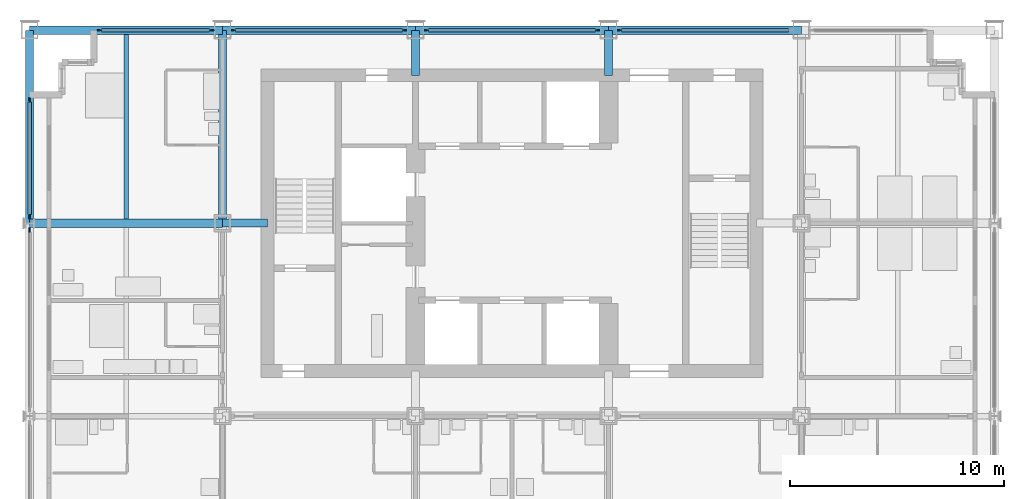
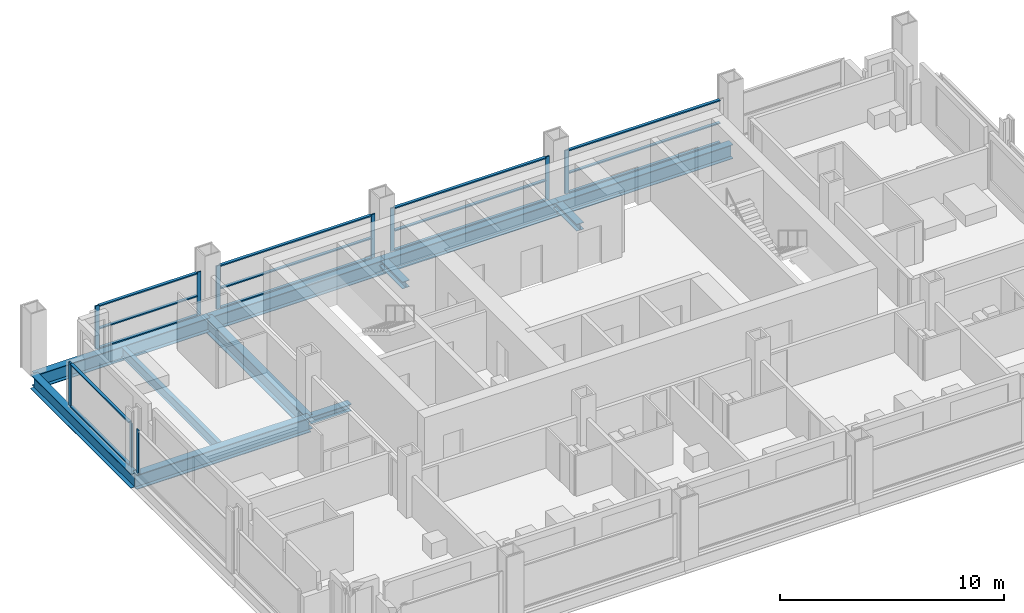
# One storey, part 4 of 13: 27 members, 8 beams, 6 elements without a shape of their own.
"""IFC4 building model written with IfcOpenShell, lengths in metres."""

from ifc_helpers import new_model, si_unit, direction, frame, origin, origin_2d, place, context, subcontext, project, spatial, rectangle, i_section, extrude, material, material_profile, profile_set, type_object, element, aggregate, save


model = new_model("IFC4")

# Units and contexts
model_context = context("Model", 3, precision=1e-05, world=origin(), true_north=direction((0.0, 1.0)))
body_context = subcontext(model_context, "Body", "Model", "MODEL_VIEW")
ifc_project = project(units=[si_unit("LENGTHUNIT", "METRE"), si_unit("AREAUNIT", "SQUARE_METRE"), si_unit("VOLUMEUNIT", "CUBIC_METRE"), si_unit("PLANEANGLEUNIT", "RADIAN"), si_unit("MASSUNIT", "GRAM", prefix="KILO")], contexts=[model_context])

# Site, building, storey
site_placement = place(None, origin())
site = spatial("IfcSite", under=ifc_project, at=site_placement, CompositionType="ELEMENT")
building_placement = place(site_placement, origin())
building = spatial("IfcBuilding", under=site, at=building_placement, Name="Loomwork Tower", CompositionType="ELEMENT")
storey_placement = place(building_placement, frame((0.0, 0.0, 218.199951171875)))
storey = spatial("IfcBuildingStorey", under=building, at=storey_placement, Name="L60", CompositionType="ELEMENT", Elevation=218.199951171875)

# Beams
ifc_material_1 = material(Name="Steel ASTM A992", Category="steel")
ifc_material_profile_1 = material_profile(ifc_material_1, i_section(OverallWidth=0.383544921875, OverallDepth=0.794921875, WebThickness=0.02099609375, FlangeThickness=0.0380859375, at=origin_2d()), Name="W30x235")
ifc_profile_set_1 = profile_set([ifc_material_profile_1], Name="Steel ASTM A992")
beam_type_1 = type_object("IfcBeamType", Name="CORE FLANK GIRDER W30x235", PredefinedType="BEAM", material=ifc_profile_set_1)
for number, where, z_axis, x_axis, name in (
    (1, (0.0, 18.0, -0.597412109375), (1.0, 0.0, 0.0), (0.0, 1.0, 0.0), "Core Flank Girder F/2-F/3 L60"),
    (2, (9.0, 18.0, -0.597412109375), (0.0, 1.0, 0.0), (-1.0, 0.0, 0.0), "Core Flank Girder F/3-G/3 L60"),
):
    element("IfcBeam", number, at=place(storey_placement, frame(where, z_axis=z_axis, x_axis=x_axis)), inside=storey, type_object=beam_type_1, Name=name, PredefinedType="BEAM", context=body_context, shape_type="SweptSolid", body=[
        extrude(i_section(OverallWidth=0.383544921875, OverallDepth=0.794921875, WebThickness=0.02099609375, FlangeThickness=0.0380859375, at=origin_2d()), origin(), (0.0, 0.0, 1.0), 9.0),
    ])

# Members
ifc_material_2 = material(Name="Steel ASTM A992", Category="steel")
ifc_material_profile_2 = material_profile(ifc_material_2, i_section(OverallWidth=0.373291015625, OverallDepth=0.373291015625, WebThickness=0.016357421875, FlangeThickness=0.026123046875, at=origin_2d()), Name="W14x132")
ifc_profile_set_2 = profile_set([ifc_material_profile_2], Name="Steel ASTM A992")
member_type_1 = type_object("IfcMemberType", Name="CORE LINK STRUT W14x132", PredefinedType="STRUT", material=ifc_profile_set_2)
for number, where, z_axis, x_axis, name in (
    (3, (27.0, 27.0, -0.38671875), (0.0, -1.0, 0.0), (1.0, 0.0, 0.0), "Core link strut G/5-27.000,24.900 L60"),
    (4, (18.0, 27.0, -0.38671875), (0.0, -1.0, 0.0), (1.0, 0.0, 0.0), "Core link strut G/4-18.000,24.900 L60"),
    (5, (9.0, 18.0, -0.38671875), (1.0, 0.0, 0.0), (0.0, 1.0, 0.0), "Core link strut F/3-11.100,18.000 L60"),
):
    element("IfcMember", number, at=place(storey_placement, frame(where, z_axis=z_axis, x_axis=x_axis)), inside=storey, type_object=member_type_1, Name=name, PredefinedType="STRUT", context=body_context, shape_type="SweptSolid", body=[
        extrude(i_section(OverallWidth=0.373291015625, OverallDepth=0.373291015625, WebThickness=0.016357421875, FlangeThickness=0.026123046875, at=origin_2d()), origin(), (0.0, 0.0, 1.0), 2.10009765625),
    ])

# Beam
ifc_material_3 = material(Name="Steel ASTM A992", Category="steel")
ifc_material_profile_3 = material_profile(ifc_material_3, i_section(OverallWidth=0.2109375, OverallDepth=0.53857421875, WebThickness=0.011474609375, FlangeThickness=0.018798828125, at=origin_2d()), Name="W21x73")
ifc_profile_set_3 = profile_set([ifc_material_profile_3], Name="Steel ASTM A992")
beam_type_2 = type_object("IfcBeamType", Name="FLOOR JOIST W21x73", PredefinedType="JOIST", material=ifc_profile_set_3)
beam_placement = place(storey_placement, frame((4.5, 18.19091796875, -0.46923828125), z_axis=(0.0, 1.0, 0.0), x_axis=(-1.0, 0.0, 0.0)))
element("IfcBeam", 6, at=beam_placement, inside=storey, type_object=beam_type_2, Name="Floor Joist 4.500,18.000-4.500,27.000 L60", PredefinedType="JOIST", context=body_context, shape_type="SweptSolid", body=[
    extrude(i_section(OverallWidth=0.2109375, OverallDepth=0.53857421875, WebThickness=0.011474609375, FlangeThickness=0.018798828125, at=origin_2d()), origin(), (0.0, 0.0, 1.0), 8.619140625),
])

# Curtain wall, member
ifc_material_4 = material(Name="Aluminium curtain wall frame", Category="aluminium")
curtain_wall_type_1 = type_object("IfcCurtainWallType", Name="Outer skin glazing hotel", PredefinedType="NOTDEFINED", material=ifc_material_4)
curtain_wall_1_placement = place(storey_placement, origin())
curtain_wall_1 = element("IfcCurtainWall", 7, at=curtain_wall_1_placement, inside=storey, type_object=curtain_wall_type_1, Name="Outer skin glazing hotel cw/W-9", PredefinedType="NOTDEFINED")
ifc_material_5 = material(Name="Aluminium curtain wall frame", Category="aluminium")
ifc_material_profile_4 = material_profile(ifc_material_5, rectangle(XDim=0.06494140625, YDim=0.199951171875, at=origin_2d()), Name="AL 65x200")
ifc_profile_set_4 = profile_set([ifc_material_profile_4], Name="Aluminium curtain wall frame")
member_type_2 = type_object("IfcMemberType", Name="Outer skin glazing hotel mullion", PredefinedType="MULLION", material=ifc_profile_set_4)
member_1_placement = place(storey_placement, frame((0.0, 17.6865234375, 0.0), z_axis=(0.0, 0.0, 1.0), x_axis=(1.0, 0.0, 0.0)))
member_1 = element("IfcMember", 8, at=member_1_placement, type_object=member_type_2, Name="CW1 mullion 1", PredefinedType="MULLION", context=body_context, shape_type="SweptSolid", body=[
    extrude(rectangle(XDim=0.06494140625, YDim=0.199951171875, at=origin_2d()), origin(), (0.0, 0.0, 1.0), 2.370361328125),
])
aggregate(curtain_wall_1, [member_1])

# Curtain wall, members
curtain_wall_2_placement = place(storey_placement, origin())
curtain_wall_2 = element("IfcCurtainWall", 9, at=curtain_wall_2_placement, inside=storey, type_object=curtain_wall_type_1, Name="Outer skin glazing hotel cw/W-18", PredefinedType="NOTDEFINED")
member_2_placement = place(storey_placement, frame((0.0, 23.75, 0.0), z_axis=(0.0, 0.0, 1.0), x_axis=(1.0, 0.0, 0.0)))
member_2 = element("IfcMember", 10, at=member_2_placement, type_object=member_type_2, Name="CW1 mullion 1", PredefinedType="MULLION", context=body_context, shape_type="SweptSolid", body=[
    extrude(rectangle(XDim=0.06494140625, YDim=0.199951171875, at=origin_2d()), origin(), (0.0, 0.0, 1.0), 2.370361328125),
])
member_3_placement = place(storey_placement, frame((0.0, 18.3134765625, 0.0), z_axis=(0.0, 0.0, 1.0), x_axis=(1.0, 0.0, 0.0)))
member_3 = element("IfcMember", 11, at=member_3_placement, type_object=member_type_2, Name="CW1 mullion 2", PredefinedType="MULLION", context=body_context, shape_type="SweptSolid", body=[
    extrude(rectangle(XDim=0.06494140625, YDim=0.199951171875, at=origin_2d()), origin(), (0.0, 0.0, 1.0), 2.370361328125),
])
ifc_material_6 = material(Name="Aluminium curtain wall frame", Category="aluminium")
ifc_material_profile_5 = material_profile(ifc_material_6, rectangle(XDim=0.14990234375, YDim=0.06494140625, at=origin_2d()), Name="AL 65x150")
ifc_profile_set_5 = profile_set([ifc_material_profile_5], Name="Aluminium curtain wall frame")
member_type_3 = type_object("IfcMemberType", Name="Outer skin glazing hotel transom", PredefinedType="USERDEFINED", material=ifc_profile_set_5)
member_4_placement = place(storey_placement, frame((0.0, 23.64990234375, 0.032470703125), z_axis=(0.0, -1.0, 0.0), x_axis=(1.0, 0.0, 0.0)))
member_4 = element("IfcMember", 12, at=member_4_placement, type_object=member_type_3, Name="CW1 transom 1.1", ObjectType="TRANSOM", PredefinedType="USERDEFINED", context=body_context, shape_type="SweptSolid", body=[
    extrude(rectangle(XDim=0.14990234375, YDim=0.06494140625, at=origin_2d()), origin(), (0.0, 0.0, 1.0), 5.236572265625),
])
member_5_placement = place(storey_placement, frame((0.0, 23.64990234375, 2.337646484375), z_axis=(0.0, -1.0, 0.0), x_axis=(1.0, 0.0, 0.0)))
member_5 = element("IfcMember", 13, at=member_5_placement, type_object=member_type_3, Name="CW1 transom 1.2", ObjectType="TRANSOM", PredefinedType="USERDEFINED", context=body_context, shape_type="SweptSolid", body=[
    extrude(rectangle(XDim=0.14990234375, YDim=0.06494140625, at=origin_2d()), origin(), (0.0, 0.0, 1.0), 5.236572265625),
])
aggregate(curtain_wall_2, [member_2, member_3, member_4, member_5])

# Beams
ifc_material_7 = material(Name="Steel ASTM A992", Category="steel")
ifc_material_profile_6 = material_profile(ifc_material_7, i_section(OverallWidth=0.381103515625, OverallDepth=0.77978515625, WebThickness=0.01806640625, FlangeThickness=0.0302734375, at=origin_2d()), Name="W30x191")
ifc_profile_set_6 = profile_set([ifc_material_profile_6], Name="Steel ASTM A992")
beam_type_3 = type_object("IfcBeamType", Name="SPANDREL GIRDER W30x191", PredefinedType="SPANDREL", material=ifc_profile_set_6)
for number, where, z_axis, x_axis, name in (
    (14, (0.0, 27.0, -0.58984375), (1.0, 0.0, 0.0), (0.0, 1.0, 0.0), "Spandrel Girder G/2-G/3 L60"),
    (15, (9.0, 27.0, -0.58984375), (1.0, 0.0, 0.0), (0.0, 1.0, 0.0), "Spandrel Girder G/3-G/4 L60"),
    (16, (18.0, 27.0, -0.58984375), (1.0, 0.0, 0.0), (0.0, 1.0, 0.0), "Spandrel Girder G/4-G/5 L60"),
    (17, (27.0, 27.0, -0.58984375), (1.0, 0.0, 0.0), (0.0, 1.0, 0.0), "Spandrel Girder G/5-G/6 L60"),
    (18, (0.0, 18.0, -0.58984375), (0.0, 1.0, 0.0), (-1.0, 0.0, 0.0), "Spandrel Girder F/2-G/2 L60"),
):
    element("IfcBeam", number, at=place(storey_placement, frame(where, z_axis=z_axis, x_axis=x_axis)), inside=storey, type_object=beam_type_3, Name=name, PredefinedType="SPANDREL", context=body_context, shape_type="SweptSolid", body=[
        extrude(i_section(OverallWidth=0.381103515625, OverallDepth=0.77978515625, WebThickness=0.01806640625, FlangeThickness=0.0302734375, at=origin_2d()), origin(), (0.0, 0.0, 1.0), 9.0),
    ])

# Curtain wall, members
ifc_material_8 = material(Name="Aluminium curtain wall frame", Category="aluminium")
curtain_wall_type_2 = type_object("IfcCurtainWallType", Name="Single skin glazing corridor", PredefinedType="NOTDEFINED", material=ifc_material_8)
curtain_wall_3_placement = place(storey_placement, origin())
curtain_wall_3 = element("IfcCurtainWall", 19, at=curtain_wall_3_placement, inside=storey, type_object=curtain_wall_type_2, Name="Single skin glazing corridor cw/N-0", PredefinedType="NOTDEFINED")
ifc_material_9 = material(Name="Aluminium curtain wall frame", Category="aluminium")
ifc_material_profile_7 = material_profile(ifc_material_9, rectangle(XDim=0.06494140625, YDim=0.199951171875, at=origin_2d()), Name="AL 65x200")
ifc_profile_set_7 = profile_set([ifc_material_profile_7], Name="Aluminium curtain wall frame")
member_type_4 = type_object("IfcMemberType", Name="Single skin glazing corridor mullion", PredefinedType="MULLION", material=ifc_profile_set_7)
member_6_placement = place(storey_placement, frame((8.5, 27.0, 0.0), z_axis=(0.0, 0.0, 1.0), x_axis=(0.0, -1.0, 0.0)))
member_6 = element("IfcMember", 20, at=member_6_placement, type_object=member_type_4, Name="CW3 mullion 1", PredefinedType="MULLION", context=body_context, shape_type="SweptSolid", body=[
    extrude(rectangle(XDim=0.06494140625, YDim=0.199951171875, at=origin_2d()), origin(), (0.0, 0.0, 1.0), 2.370361328125),
])
member_7_placement = place(storey_placement, frame((3.25, 27.0, 0.0), z_axis=(0.0, 0.0, 1.0), x_axis=(0.0, -1.0, 0.0)))
member_7 = element("IfcMember", 21, at=member_7_placement, type_object=member_type_4, Name="CW3 mullion 2", PredefinedType="MULLION", context=body_context, shape_type="SweptSolid", body=[
    extrude(rectangle(XDim=0.06494140625, YDim=0.199951171875, at=origin_2d()), origin(), (0.0, 0.0, 1.0), 2.370361328125),
])

curtain_wall_4_placement = place(storey_placement, origin())
curtain_wall_4 = element("IfcCurtainWall", 22, at=curtain_wall_4_placement, inside=storey, type_object=curtain_wall_type_2, Name="Single skin glazing corridor cw/N-9", PredefinedType="NOTDEFINED")
member_8_placement = place(storey_placement, frame((17.5, 27.0, 0.0), z_axis=(0.0, 0.0, 1.0), x_axis=(0.0, -1.0, 0.0)))
member_8 = element("IfcMember", 23, at=member_8_placement, type_object=member_type_4, Name="CW3 mullion 1", PredefinedType="MULLION", context=body_context, shape_type="SweptSolid", body=[
    extrude(rectangle(XDim=0.06494140625, YDim=0.199951171875, at=origin_2d()), origin(), (0.0, 0.0, 1.0), 2.370361328125),
])
member_9_placement = place(storey_placement, frame((9.5, 27.0, 0.0), z_axis=(0.0, 0.0, 1.0), x_axis=(0.0, -1.0, 0.0)))
member_9 = element("IfcMember", 24, at=member_9_placement, type_object=member_type_4, Name="CW3 mullion 2", PredefinedType="MULLION", context=body_context, shape_type="SweptSolid", body=[
    extrude(rectangle(XDim=0.06494140625, YDim=0.199951171875, at=origin_2d()), origin(), (0.0, 0.0, 1.0), 2.370361328125),
])

curtain_wall_5_placement = place(storey_placement, origin())
curtain_wall_5 = element("IfcCurtainWall", 25, at=curtain_wall_5_placement, inside=storey, type_object=curtain_wall_type_2, Name="Single skin glazing corridor cw/N-18", PredefinedType="NOTDEFINED")
member_10_placement = place(storey_placement, frame((26.5, 27.0, 0.0), z_axis=(0.0, 0.0, 1.0), x_axis=(0.0, -1.0, 0.0)))
member_10 = element("IfcMember", 26, at=member_10_placement, type_object=member_type_4, Name="CW3 mullion 1", PredefinedType="MULLION", context=body_context, shape_type="SweptSolid", body=[
    extrude(rectangle(XDim=0.06494140625, YDim=0.199951171875, at=origin_2d()), origin(), (0.0, 0.0, 1.0), 2.370361328125),
])
member_11_placement = place(storey_placement, frame((18.5, 27.0, 0.0), z_axis=(0.0, 0.0, 1.0), x_axis=(0.0, -1.0, 0.0)))
member_11 = element("IfcMember", 27, at=member_11_placement, type_object=member_type_4, Name="CW3 mullion 2", PredefinedType="MULLION", context=body_context, shape_type="SweptSolid", body=[
    extrude(rectangle(XDim=0.06494140625, YDim=0.199951171875, at=origin_2d()), origin(), (0.0, 0.0, 1.0), 2.370361328125),
])

# Curtain wall, member
curtain_wall_6_placement = place(storey_placement, origin())
curtain_wall_6 = element("IfcCurtainWall", 28, at=curtain_wall_6_placement, inside=storey, type_object=curtain_wall_type_2, Name="Single skin glazing corridor cw/N-27", PredefinedType="NOTDEFINED")
member_12_placement = place(storey_placement, frame((27.5, 27.0, 0.0), z_axis=(0.0, 0.0, 1.0), x_axis=(0.0, -1.0, 0.0)))
member_12 = element("IfcMember", 29, at=member_12_placement, type_object=member_type_4, Name="CW3 mullion 2", PredefinedType="MULLION", context=body_context, shape_type="SweptSolid", body=[
    extrude(rectangle(XDim=0.06494140625, YDim=0.199951171875, at=origin_2d()), origin(), (0.0, 0.0, 1.0), 2.370361328125),
])

# Member
ifc_material_10 = material(Name="Aluminium curtain wall frame", Category="aluminium")
ifc_material_profile_8 = material_profile(ifc_material_10, rectangle(XDim=0.14990234375, YDim=0.06494140625, at=origin_2d()), Name="AL 65x150")
ifc_profile_set_8 = profile_set([ifc_material_profile_8], Name="Aluminium curtain wall frame")
member_type_5 = type_object("IfcMemberType", Name="Single skin glazing corridor transom", PredefinedType="USERDEFINED", material=ifc_profile_set_8)
member_13_placement = place(storey_placement, frame((8.39990234375, 27.0, 0.032470703125), z_axis=(-1.0, 0.0, 0.0), x_axis=(0.0, -1.0, 0.0)))
member_13 = element("IfcMember", 30, at=member_13_placement, type_object=member_type_5, Name="CW3 transom 1.1", ObjectType="TRANSOM", PredefinedType="USERDEFINED", context=body_context, shape_type="SweptSolid", body=[
    extrude(rectangle(XDim=0.14990234375, YDim=0.06494140625, at=origin_2d()), origin(), (0.0, 0.0, 1.0), 5.0498046875),
])

member_14_placement = place(storey_placement, frame((8.39990234375, 27.0, 1.10009765625), z_axis=(-1.0, 0.0, 0.0), x_axis=(0.0, -1.0, 0.0)))
member_14 = element("IfcMember", 31, at=member_14_placement, type_object=member_type_5, Name="CW3 transom 1.2", ObjectType="TRANSOM", PredefinedType="USERDEFINED", context=body_context, shape_type="SweptSolid", body=[
    extrude(rectangle(XDim=0.14990234375, YDim=0.06494140625, at=origin_2d()), origin(), (0.0, 0.0, 1.0), 5.0498046875),
])

member_15_placement = place(storey_placement, frame((8.39990234375, 27.0, 2.337646484375), z_axis=(-1.0, 0.0, 0.0), x_axis=(0.0, -1.0, 0.0)))
member_15 = element("IfcMember", 32, at=member_15_placement, type_object=member_type_5, Name="CW3 transom 1.3", ObjectType="TRANSOM", PredefinedType="USERDEFINED", context=body_context, shape_type="SweptSolid", body=[
    extrude(rectangle(XDim=0.14990234375, YDim=0.06494140625, at=origin_2d()), origin(), (0.0, 0.0, 1.0), 5.0498046875),
])

aggregate(curtain_wall_3, [member_6, member_7, member_13, member_14, member_15])

member_16_placement = place(storey_placement, frame((17.39990234375, 27.0, 0.032470703125), z_axis=(-1.0, 0.0, 0.0), x_axis=(0.0, -1.0, 0.0)))
member_16 = element("IfcMember", 33, at=member_16_placement, type_object=member_type_5, Name="CW3 transom 1.1", ObjectType="TRANSOM", PredefinedType="USERDEFINED", context=body_context, shape_type="SweptSolid", body=[
    extrude(rectangle(XDim=0.14990234375, YDim=0.06494140625, at=origin_2d()), origin(), (0.0, 0.0, 1.0), 7.7998046875),
])

member_17_placement = place(storey_placement, frame((17.39990234375, 27.0, 1.10009765625), z_axis=(-1.0, 0.0, 0.0), x_axis=(0.0, -1.0, 0.0)))
member_17 = element("IfcMember", 34, at=member_17_placement, type_object=member_type_5, Name="CW3 transom 1.2", ObjectType="TRANSOM", PredefinedType="USERDEFINED", context=body_context, shape_type="SweptSolid", body=[
    extrude(rectangle(XDim=0.14990234375, YDim=0.06494140625, at=origin_2d()), origin(), (0.0, 0.0, 1.0), 7.7998046875),
])

member_18_placement = place(storey_placement, frame((17.39990234375, 27.0, 2.337646484375), z_axis=(-1.0, 0.0, 0.0), x_axis=(0.0, -1.0, 0.0)))
member_18 = element("IfcMember", 35, at=member_18_placement, type_object=member_type_5, Name="CW3 transom 1.3", ObjectType="TRANSOM", PredefinedType="USERDEFINED", context=body_context, shape_type="SweptSolid", body=[
    extrude(rectangle(XDim=0.14990234375, YDim=0.06494140625, at=origin_2d()), origin(), (0.0, 0.0, 1.0), 7.7998046875),
])

aggregate(curtain_wall_4, [member_8, member_9, member_16, member_17, member_18])

member_19_placement = place(storey_placement, frame((26.39990234375, 27.0, 0.032470703125), z_axis=(-1.0, 0.0, 0.0), x_axis=(0.0, -1.0, 0.0)))
member_19 = element("IfcMember", 36, at=member_19_placement, type_object=member_type_5, Name="CW3 transom 1.1", ObjectType="TRANSOM", PredefinedType="USERDEFINED", context=body_context, shape_type="SweptSolid", body=[
    extrude(rectangle(XDim=0.14990234375, YDim=0.06494140625, at=origin_2d()), origin(), (0.0, 0.0, 1.0), 7.7998046875),
])

member_20_placement = place(storey_placement, frame((26.39990234375, 27.0, 1.10009765625), z_axis=(-1.0, 0.0, 0.0), x_axis=(0.0, -1.0, 0.0)))
member_20 = element("IfcMember", 37, at=member_20_placement, type_object=member_type_5, Name="CW3 transom 1.2", ObjectType="TRANSOM", PredefinedType="USERDEFINED", context=body_context, shape_type="SweptSolid", body=[
    extrude(rectangle(XDim=0.14990234375, YDim=0.06494140625, at=origin_2d()), origin(), (0.0, 0.0, 1.0), 7.7998046875),
])

member_21_placement = place(storey_placement, frame((26.39990234375, 27.0, 2.337646484375), z_axis=(-1.0, 0.0, 0.0), x_axis=(0.0, -1.0, 0.0)))
member_21 = element("IfcMember", 38, at=member_21_placement, type_object=member_type_5, Name="CW3 transom 1.3", ObjectType="TRANSOM", PredefinedType="USERDEFINED", context=body_context, shape_type="SweptSolid", body=[
    extrude(rectangle(XDim=0.14990234375, YDim=0.06494140625, at=origin_2d()), origin(), (0.0, 0.0, 1.0), 7.7998046875),
])

aggregate(curtain_wall_5, [member_10, member_11, member_19, member_20, member_21])

member_22_placement = place(storey_placement, frame((35.39990234375, 27.0, 0.032470703125), z_axis=(-1.0, 0.0, 0.0), x_axis=(0.0, -1.0, 0.0)))
member_22 = element("IfcMember", 39, at=member_22_placement, type_object=member_type_5, Name="CW3 transom 1.1", ObjectType="TRANSOM", PredefinedType="USERDEFINED", context=body_context, shape_type="SweptSolid", body=[
    extrude(rectangle(XDim=0.14990234375, YDim=0.06494140625, at=origin_2d()), origin(), (0.0, 0.0, 1.0), 7.7998046875),
])

member_23_placement = place(storey_placement, frame((35.39990234375, 27.0, 1.10009765625), z_axis=(-1.0, 0.0, 0.0), x_axis=(0.0, -1.0, 0.0)))
member_23 = element("IfcMember", 40, at=member_23_placement, type_object=member_type_5, Name="CW3 transom 1.2", ObjectType="TRANSOM", PredefinedType="USERDEFINED", context=body_context, shape_type="SweptSolid", body=[
    extrude(rectangle(XDim=0.14990234375, YDim=0.06494140625, at=origin_2d()), origin(), (0.0, 0.0, 1.0), 7.7998046875),
])

member_24_placement = place(storey_placement, frame((35.39990234375, 27.0, 2.337646484375), z_axis=(-1.0, 0.0, 0.0), x_axis=(0.0, -1.0, 0.0)))
member_24 = element("IfcMember", 41, at=member_24_placement, type_object=member_type_5, Name="CW3 transom 1.3", ObjectType="TRANSOM", PredefinedType="USERDEFINED", context=body_context, shape_type="SweptSolid", body=[
    extrude(rectangle(XDim=0.14990234375, YDim=0.06494140625, at=origin_2d()), origin(), (0.0, 0.0, 1.0), 7.7998046875),
])

aggregate(curtain_wall_6, [member_12, member_22, member_23, member_24])

save(model, "model.ifc")
